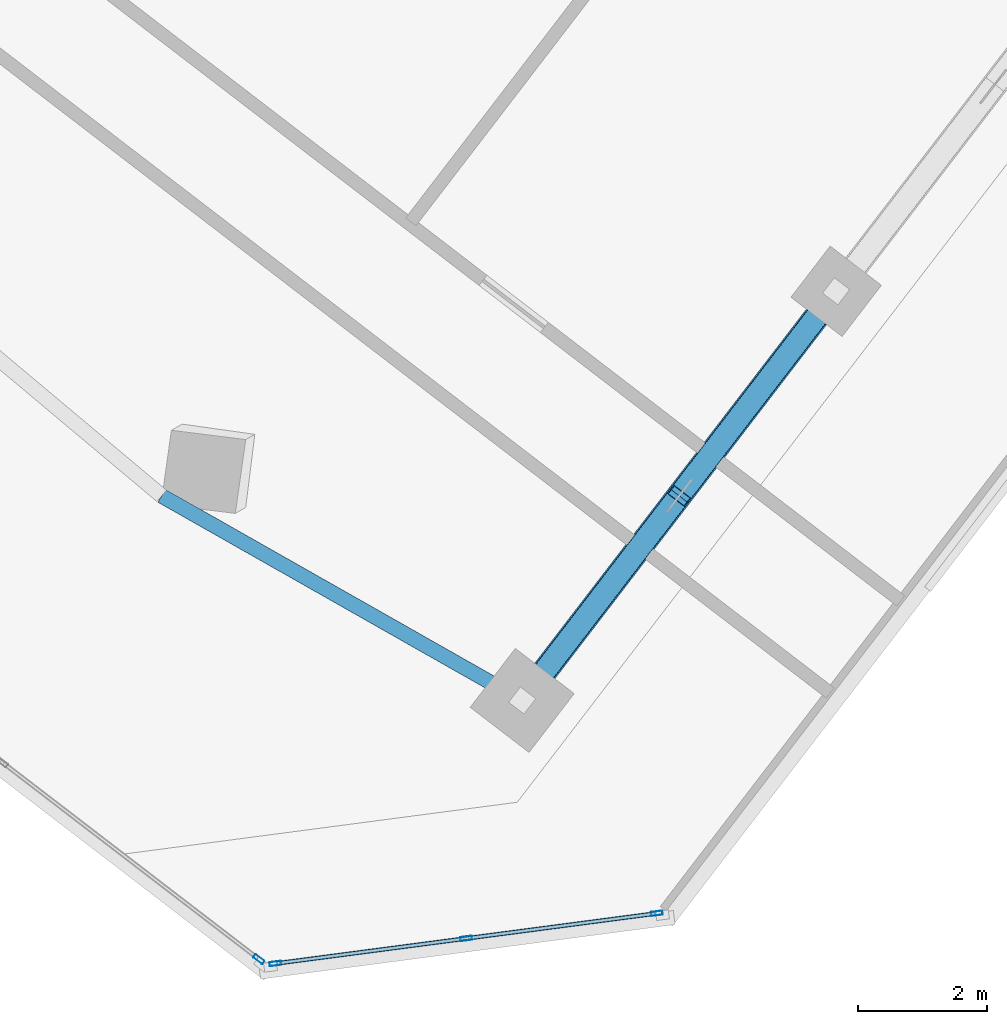
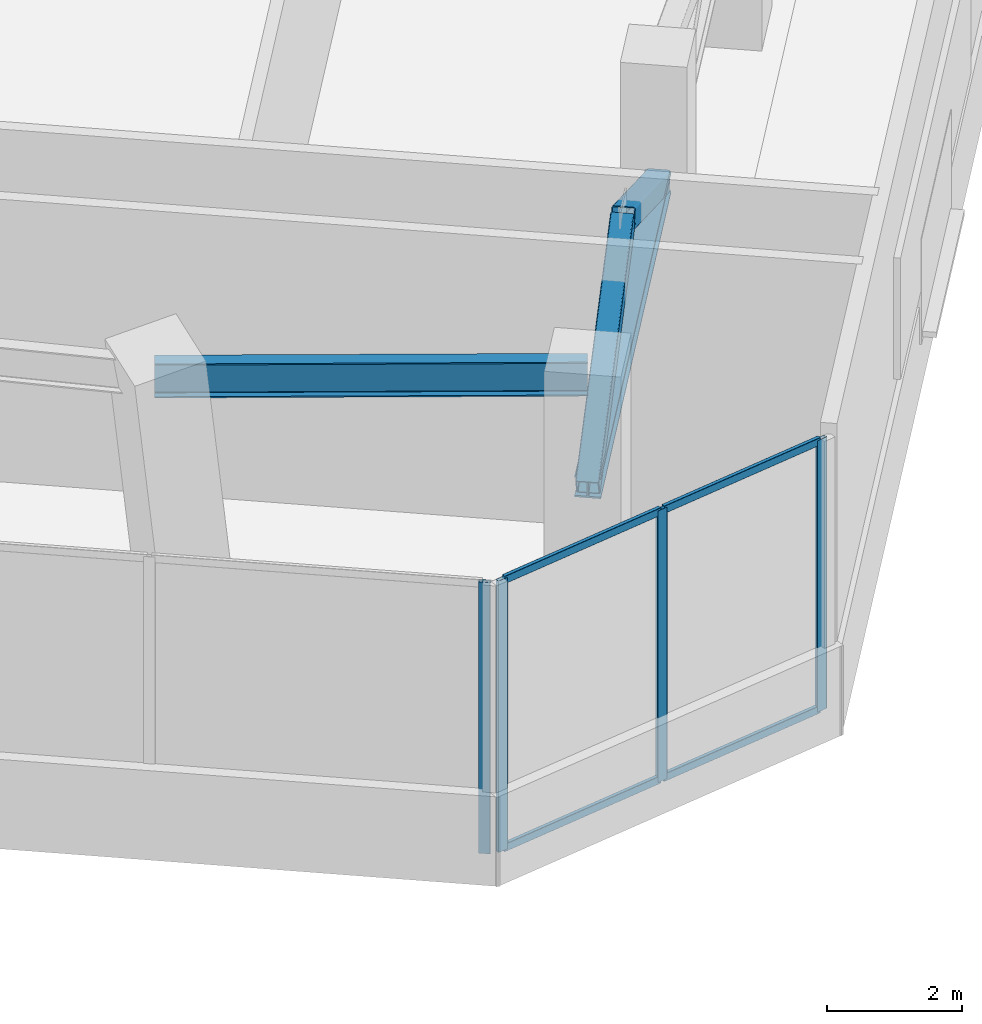
# One storey, part 7 of 22: 11 members, 1 beam, 2 elements without a shape of their own.
"""IFC4 building model written with IfcOpenShell, lengths in metres."""

from ifc_helpers import new_model, si_unit, direction, frame, origin, origin_2d, place, context, subcontext, project, spatial, hollow_rectangle, i_section, extrude, source, transform, mapped, material, material_profile, profile_set, type_object, element, aggregate, save


model = new_model("IFC4")

# Units and contexts
model_context = context("Model", 3, precision=1e-05, world=origin(), true_north=direction((0.0, 1.0)))
body_context = subcontext(model_context, "Body", "Model", "MODEL_VIEW")
ifc_project = project(units=[si_unit("LENGTHUNIT", "METRE"), si_unit("AREAUNIT", "SQUARE_METRE"), si_unit("VOLUMEUNIT", "CUBIC_METRE"), si_unit("PLANEANGLEUNIT", "RADIAN"), si_unit("MASSUNIT", "GRAM", prefix="KILO")], contexts=[model_context])

# Site, building, storey
site_placement = place(None, origin())
site = spatial("IfcSite", under=ifc_project, at=site_placement, CompositionType="ELEMENT")
building_placement = place(site_placement, origin())
building = spatial("IfcBuilding", under=site, at=building_placement, Name="Torre Montelarca", CompositionType="ELEMENT")
storey_placement = place(building_placement, frame((0.0, 0.0, 209.800048828125)))
storey = spatial("IfcBuildingStorey", under=building, at=storey_placement, Name="L47", CompositionType="ELEMENT", Elevation=209.800048828125)

# Beam
ifc_material_1 = material(Name="Steel ASTM A992 Grade 50", Category="steel")
ifc_material_profile_1 = material_profile(ifc_material_1, i_section(OverallWidth=0.22998046875, OverallDepth=0.616943359375, WebThickness=0.01318359375, FlangeThickness=0.022216796875, FilletRadius=0.014892578125, at=origin_2d()), Name="W610X140", Category="steel")
ifc_profile_set_1 = profile_set([ifc_material_profile_1], Name="Steel ASTM A992 Grade 50")
beam_type = type_object("IfcBeamType", Name="BM-G-W610-EXT", PredefinedType="BEAM", material=ifc_profile_set_1)
shared_shape_1 = source(origin(), body_context, "Body", "SweptSolid", [
    extrude(i_section(OverallWidth=0.22998046875, OverallDepth=0.616943359375, WebThickness=0.01318359375, FlangeThickness=0.022216796875, FilletRadius=0.014892578125, at=origin_2d()), origin(), (0.0, 0.0, 1.0), 6.429931640625),
])
beam_placement = place(storey_placement, frame((32.0615234375, 12.694580078125, 4.7919921875), z_axis=(0.869713666758, -0.493556620719, 0.0), x_axis=(0.493556620719, 0.869713666758, 0.0)))
element("IfcBeam", 1, at=beam_placement, inside=storey, type_object=beam_type, Name="L47 Setback Terrace Girder 42-48 Y=24m", PredefinedType="BEAM", context=body_context, shape_type="MappedRepresentation", body=[
    mapped(shared_shape_1, transform((0.0, 0.0, 0.0), scale=1.0)),
])

# Members
ifc_material_profile_2 = material_profile(ifc_material_1, i_section(OverallWidth=0.39501953125, OverallDepth=0.3798828125, WebThickness=0.018798828125, FlangeThickness=0.0302734375, FilletRadius=0.014892578125, at=origin_2d()), Name="W360X237", Category="steel")
ifc_profile_set_2 = profile_set([ifc_material_profile_2], Name="Steel ASTM A992 Grade 50")
member_type_1 = type_object("IfcMemberType", Name="MB-CH-W360X237", PredefinedType="CHORD", material=ifc_profile_set_2)
shared_shape_2 = source(origin(), body_context, "Body", "SweptSolid", [
    extrude(i_section(OverallWidth=0.39501953125, OverallDepth=0.3798828125, WebThickness=0.018798828125, FlangeThickness=0.0302734375, FilletRadius=0.014892578125, at=origin_2d()), origin(), (0.0, 0.0, 1.0), 8.0),
])
member_1_placement = place(storey_placement, frame((37.65380859375, 9.52099609375, 2.75), z_axis=(0.608757593073, 0.793356283694, 0.0), x_axis=(-0.793356283694, 0.608757593073, 0.0)))
element("IfcMember", 2, at=member_1_placement, inside=storey, type_object=member_type_1, Name="L47 Perimeter Belt-Truss Bottom Chord 2", PredefinedType="CHORD", context=body_context, shape_type="MappedRepresentation", body=[
    mapped(shared_shape_2, transform((0.0, 0.0, 0.0), scale=1.0)),
])
ifc_material_2 = material(Name="Steel ASTM A500 Grade C", Category="steel")
ifc_material_profile_3 = material_profile(ifc_material_2, hollow_rectangle(XDim=0.355712890625, YDim=0.355712890625, WallThickness=0.015869140625, InnerFilletRadius=0.015869140625, OuterFilletRadius=0.03173828125, at=origin_2d()), Name="HSS356X356X15.9", Category="steel")
ifc_profile_set_3 = profile_set([ifc_material_profile_3], Name="Steel ASTM A500 Grade C")
member_type_2 = type_object("IfcMemberType", Name="MB-BR-HSS356-EXT", PredefinedType="BRACE", material=ifc_profile_set_3)
shared_shape_3 = source(origin(), body_context, "Body", "SweptSolid", [
    extrude(hollow_rectangle(XDim=0.355712890625, YDim=0.355712890625, WallThickness=0.015869140625, InnerFilletRadius=0.015869140625, OuterFilletRadius=0.03173828125, at=origin_2d()), origin(), (0.0, 0.0, 1.0), 4.517578125),
])
member_2_placement = place(storey_placement, frame((37.65380859375, 9.52099609375, 2.75), z_axis=(0.539012399961, 0.702434647552, 0.464813079212), x_axis=(-0.793344974033, 0.608772331974, 0.0)))
element("IfcMember", 3, at=member_2_placement, inside=storey, type_object=member_type_2, Name="L47 Perimeter Belt-Truss Diagonal 2A", PredefinedType="BRACE", context=body_context, shape_type="MappedRepresentation", body=[
    mapped(shared_shape_3, transform((0.0, 0.0, 0.0), scale=1.0)),
])
shared_shape_4 = source(origin(), body_context, "Body", "SweptSolid", [
    extrude(hollow_rectangle(XDim=0.355712890625, YDim=0.355712890625, WallThickness=0.015869140625, InnerFilletRadius=0.015869140625, OuterFilletRadius=0.03173828125, at=origin_2d()), origin(), (0.0, 0.0, 1.0), 4.517822265625),
])
member_3_placement = place(storey_placement, frame((42.52392578125, 15.867919921875, 2.75), z_axis=(-0.538991938999, -0.702462022763, 0.464795434863), x_axis=(0.793367592533, -0.608742854675, 0.0)))
element("IfcMember", 4, at=member_3_placement, inside=storey, type_object=member_type_2, Name="L47 Perimeter Belt-Truss Diagonal 2B", PredefinedType="BRACE", context=body_context, shape_type="MappedRepresentation", body=[
    mapped(shared_shape_4, transform((0.0, 0.0, 0.0), scale=1.0)),
])

# Curtain wall, members
ifc_material_3 = material(Name="Insulated low-E laminated glass", Category="glass")
curtain_wall_type = type_object("IfcCurtainWallType", Name="CW-SYS-Z2", PredefinedType="USERDEFINED", material=ifc_material_3)
curtain_wall_1_placement = place(storey_placement, origin())
curtain_wall_1 = element("IfcCurtainWall", 5, at=curtain_wall_1_placement, inside=storey, type_object=curtain_wall_type, Name="L47 Curtain Wall Run CW-T3-L47-E05-B1", ObjectType="UNITISED GLAZING", PredefinedType="USERDEFINED")
ifc_material_4 = material(Name="Anodised aluminium AA 6063-T6", Category="aluminium")
ifc_material_profile_4 = material_profile(ifc_material_4, hollow_rectangle(XDim=0.06494140625, YDim=0.139892578125, WallThickness=0.00390625, InnerFilletRadius=0.00390625, OuterFilletRadius=0.008056640625, at=origin_2d()), Name="ALU65X140X4", Category="aluminium")
ifc_profile_set_4 = profile_set([ifc_material_profile_4], Name="Anodised aluminium AA 6063-T6")
member_type_3 = type_object("IfcMemberType", Name="CWT-ALU140", PredefinedType="USERDEFINED", material=ifc_profile_set_4)
shared_shape_5 = source(origin(), body_context, "Body", "SweptSolid", [
    extrude(hollow_rectangle(XDim=0.06494140625, YDim=0.139892578125, WallThickness=0.00390625, InnerFilletRadius=0.00390625, OuterFilletRadius=0.008056640625, at=origin_2d()), origin(), (0.0, 0.0, 1.0), 2.918701171875),
])
member_4_placement = place(storey_placement, frame((33.858642578125, 5.44384765625, 0.032470703125), z_axis=(0.991450024479, 0.130486968547, 0.0), x_axis=(-0.130486968547, 0.991450024479, 0.0)))
member_4 = element("IfcMember", 6, at=member_4_placement, type_object=member_type_3, Name="CW transom 1.1", ObjectType="TRANSOM", PredefinedType="USERDEFINED", context=body_context, shape_type="MappedRepresentation", body=[
    mapped(shared_shape_5, transform((0.0, 0.0, 0.0), scale=1.0)),
])
member_5_placement = place(storey_placement, frame((33.858642578125, 5.44384765625, 4.887451171875), z_axis=(0.991450024479, 0.130486968547, 0.0), x_axis=(-0.130486968547, 0.991450024479, 0.0)))
member_5 = element("IfcMember", 7, at=member_5_placement, type_object=member_type_3, Name="CW transom 1.2", ObjectType="TRANSOM", PredefinedType="USERDEFINED", context=body_context, shape_type="MappedRepresentation", body=[
    mapped(shared_shape_5, transform((0.0, 0.0, 0.0), scale=1.0)),
])
member_6_placement = place(storey_placement, frame((36.81689453125, 5.833251953125, 0.032470703125), z_axis=(0.991450024479, 0.130486968547, 0.0), x_axis=(-0.130486968547, 0.991450024479, 0.0)))
member_6 = element("IfcMember", 8, at=member_6_placement, type_object=member_type_3, Name="CW transom 2.1", ObjectType="TRANSOM", PredefinedType="USERDEFINED", context=body_context, shape_type="MappedRepresentation", body=[
    mapped(shared_shape_5, transform((0.0, 0.0, 0.0), scale=1.0)),
])
member_7_placement = place(storey_placement, frame((36.81689453125, 5.833251953125, 4.887451171875), z_axis=(0.991450024479, 0.130486968547, 0.0), x_axis=(-0.130486968547, 0.991450024479, 0.0)))
member_7 = element("IfcMember", 9, at=member_7_placement, type_object=member_type_3, Name="CW transom 2.2", ObjectType="TRANSOM", PredefinedType="USERDEFINED", context=body_context, shape_type="MappedRepresentation", body=[
    mapped(shared_shape_5, transform((0.0, 0.0, 0.0), scale=1.0)),
])

# Curtain wall, member
curtain_wall_2_placement = place(storey_placement, origin())
curtain_wall_2 = element("IfcCurtainWall", 10, at=curtain_wall_2_placement, inside=storey, type_object=curtain_wall_type, Name="L47 Curtain Wall Run CW-T3-L47-E04-B1", ObjectType="UNITISED GLAZING", PredefinedType="USERDEFINED")
ifc_material_profile_5 = material_profile(ifc_material_4, hollow_rectangle(XDim=0.06494140625, YDim=0.179931640625, WallThickness=0.00390625, InnerFilletRadius=0.00390625, OuterFilletRadius=0.008056640625, at=origin_2d()), Name="ALU65X180X4", Category="aluminium")
ifc_profile_set_5 = profile_set([ifc_material_profile_5], Name="Anodised aluminium AA 6063-T6")
member_type_4 = type_object("IfcMemberType", Name="CWM-ALU180", PredefinedType="MULLION", material=ifc_profile_set_5)
shared_shape_6 = source(origin(), body_context, "Body", "SweptSolid", [
    extrude(hollow_rectangle(XDim=0.06494140625, YDim=0.179931640625, WallThickness=0.00390625, InnerFilletRadius=0.00390625, OuterFilletRadius=0.008056640625, at=origin_2d()), origin(), (0.0, 0.0, 1.0), 4.919921875),
])
member_8_placement = place(storey_placement, frame((33.568603515625, 5.5087890625, 0.0), z_axis=(0.0, 0.0, 1.0), x_axis=(0.608757874476, 0.793356067767, 0.0)))
member_8 = element("IfcMember", 11, at=member_8_placement, type_object=member_type_4, Name="CW mullion 3", PredefinedType="MULLION", context=body_context, shape_type="MappedRepresentation", body=[
    mapped(shared_shape_6, transform((0.0, 0.0, 0.0), scale=1.0)),
])
aggregate(curtain_wall_2, [member_8])

# Member
member_9_placement = place(storey_placement, frame((33.826416015625, 5.439697265625, 0.0), z_axis=(0.0, 0.0, 1.0), x_axis=(-0.130511973823, 0.991446733158, 0.0)))
member_9 = element("IfcMember", 12, at=member_9_placement, type_object=member_type_4, Name="CW mullion 1", PredefinedType="MULLION", context=body_context, shape_type="MappedRepresentation", body=[
    mapped(shared_shape_6, transform((0.0, 0.0, 0.0), scale=1.0)),
])

member_10_placement = place(storey_placement, frame((36.78466796875, 5.8291015625, 0.0), z_axis=(0.0, 0.0, 1.0), x_axis=(-0.130511973823, 0.991446733158, 0.0)))
member_10 = element("IfcMember", 13, at=member_10_placement, type_object=member_type_4, Name="CW mullion 2", PredefinedType="MULLION", context=body_context, shape_type="MappedRepresentation", body=[
    mapped(shared_shape_6, transform((0.0, 0.0, 0.0), scale=1.0)),
])

member_11_placement = place(storey_placement, frame((39.742919921875, 6.218505859375, 0.0), z_axis=(0.0, 0.0, 1.0), x_axis=(-0.130511973823, 0.991446733158, 0.0)))
member_11 = element("IfcMember", 14, at=member_11_placement, type_object=member_type_4, Name="CW mullion 3", PredefinedType="MULLION", context=body_context, shape_type="MappedRepresentation", body=[
    mapped(shared_shape_6, transform((0.0, 0.0, 0.0), scale=1.0)),
])

aggregate(curtain_wall_1, [member_9, member_10, member_11, member_4, member_5, member_6, member_7])

save(model, "model.ifc")
